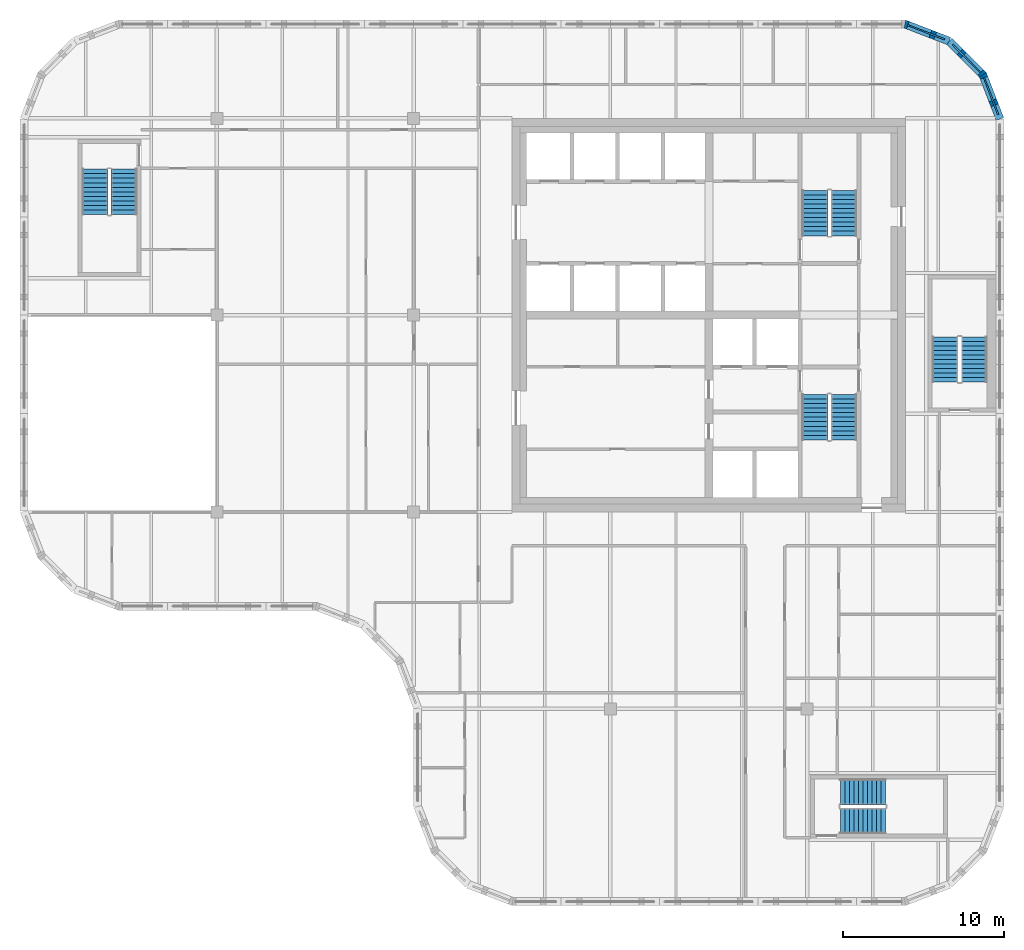
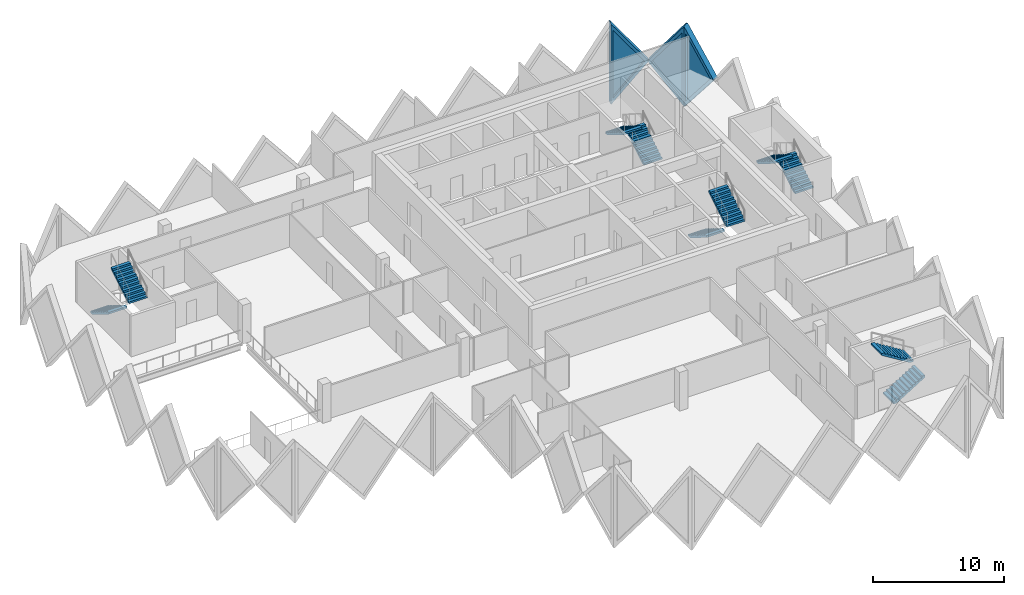
# One storey, part 10 of 11: 10 stair flights, 3 plates, 3 walls, 3 openings, 5 elements without a shape of their own.
"""IFC4 building model written with IfcOpenShell, lengths in metres."""

from ifc_helpers import new_model, si_unit, direction, frame, origin, place, context, subcontext, project, spatial, polyline, outline, extrude, faceted_brep, source, transform, mapped, material, layer, layer_set, type_object, element, fill, aggregate, save


model = new_model("IFC4")

# Units and contexts
model_context = context("Model", 3, precision=1e-05, world=origin(), true_north=direction((0.0, 1.0)))
body_context = subcontext(model_context, "Body", "Model", "MODEL_VIEW")
ifc_project = project(units=[si_unit("LENGTHUNIT", "METRE"), si_unit("AREAUNIT", "SQUARE_METRE"), si_unit("VOLUMEUNIT", "CUBIC_METRE"), si_unit("PLANEANGLEUNIT", "RADIAN"), si_unit("MASSUNIT", "GRAM", prefix="KILO")], contexts=[model_context])

# Site, building, storey
site_placement = place(None, origin())
site = spatial("IfcSite", under=ifc_project, at=site_placement, CompositionType="ELEMENT")
building_placement = place(site_placement, origin())
building = spatial("IfcBuilding", under=site, at=building_placement, Name="Tessera Gate Towers", CompositionType="ELEMENT")
storey_placement = place(building_placement, frame((0.0, 0.0, 205.5)))
storey = spatial("IfcBuildingStorey", under=building, at=storey_placement, Name="L51", CompositionType="ELEMENT", Elevation=205.5)

# Wall, opening, plate
ifc_material_1 = material(Name="Precast concrete C60/75 white", Category="concrete")
ifc_layer_1 = layer(ifc_material_1, 0.5)
ifc_layer_set_1 = layer_set([ifc_layer_1], Name="TS3 corner tessera")
wall_type = type_object("IfcWallType", Name="TS3 corner tessera", PredefinedType="SOLIDWALL", material=ifc_layer_set_1)
shared_shape_1 = source(origin(), body_context, "Body", "Brep", [
    faceted_brep([(2.950439453125, -0.25, 0.0), (2.9970703125, -0.25, 0.05908203125), (2.9970703125, -0.25, 7.541015625), (2.950439453125, -0.25, 7.60009765625), (0.0, -0.25, 3.800048828125), (0.052978515625, 0.25, 3.8681640625), (2.904052734375, 0.25, 7.540283203125), (2.904052734375, 0.25, 0.059814453125), (0.052978515625, 0.25, 3.73193359375), (2.950439453125, 0.00048828125, 0.0), (2.950439453125, 0.00048828125, 7.60009765625), (0.0, 0.0, 3.800048828125)], [[[0, 1, 2, 3, 4]], [[5, 6, 7, 8]], [[1, 0, 9]], [[10, 3, 2]], [[6, 5, 11, 4, 3, 10]], [[8, 7, 9, 0, 4, 11]], [[8, 11, 5]], [[1, 9, 7, 6, 10, 2]]]),
])
wall_1_placement = place(storey_placement, frame((57.606201171875, 53.588134765625, -3.800048828125), z_axis=(0.0, 0.0, 1.0), x_axis=(-0.932990326376, 0.359901446078, 0.0)))
wall_1 = element("IfcWall", 1, at=wall_1_placement, inside=storey, type_object=wall_type, Name="Precast corner tessera T1 TS3-1185", PredefinedType="SOLIDWALL", context=body_context, shape_type="MappedRepresentation", body=[
    mapped(shared_shape_1, transform((0.0, 0.0, 0.0), scale=1.0)),
])
shared_shape_2 = source(origin(), body_context, "Body", "SweptSolid", [
    extrude(outline(polyline([(2.75048828125, 6.934814453125), (0.31640625, 3.800048828125), (2.75048828125, 0.665283203125), (2.75048828125, 6.934814453125)])), frame((0.0, 0.260009765625, 0.0), z_axis=(0.0, -1.0, 0.0), x_axis=(1.0, 0.0, 0.0)), (0.0, 0.0, 1.0), 0.52001953125),
])
opening_1_placement = place(wall_1_placement, origin())
opening_1 = element("IfcOpeningElement", 2, at=opening_1_placement, cuts=wall_1, Name="Opening T1-PL2-1804", PredefinedType="OPENING", context=body_context, shape_type="MappedRepresentation", body=[
    mapped(shared_shape_2, transform((0.0, 0.0, 0.0), scale=1.0)),
])
ifc_material_2 = material(Name="Low-e laminated glass", Category="glass")
ifc_layer_2 = layer(ifc_material_2, 0.06005859375)
ifc_layer_set_2 = layer_set([ifc_layer_2], Name="PL2 rhombic pane")
plate_type = type_object("IfcPlateType", Name="PL2 rhombic pane", PredefinedType="SHEET", material=ifc_layer_set_2)
shared_shape_3 = source(origin(), body_context, "Body", "SweptSolid", [
    extrude(outline(polyline([(2.75048828125, 6.934814453125), (0.31640625, 3.800048828125), (2.75048828125, 0.665283203125), (2.75048828125, 6.934814453125)])), frame((0.0, 0.030029296875, 0.0), z_axis=(0.0, -1.0, 0.0), x_axis=(1.0, 0.0, 0.0)), (0.0, 0.0, 1.0), 0.06005859375),
])
plate_1_placement = place(opening_1_placement, origin())
plate_1 = element("IfcPlate", 3, at=plate_1_placement, inside=storey, type_object=plate_type, Name="Glass pane T1 PL2-1804", PredefinedType="SHEET", context=body_context, shape_type="MappedRepresentation", body=[
    mapped(shared_shape_3, transform((0.0, 0.0, 0.0), scale=1.0)),
])
fill(opening_1, plate_1)

shared_shape_4 = source(origin(), body_context, "Body", "Brep", [
    faceted_brep([(2.950439453125, -0.25, 0.0), (3.00341796875, -0.25, 0.068359375), (3.00341796875, -0.25, 7.53173828125), (2.950439453125, -0.25, 7.60009765625), (0.0, -0.25, 3.800048828125), (0.046630859375, 0.25, 3.860107421875), (2.897705078125, 0.25, 7.531982421875), (2.897705078125, 0.25, 0.068115234375), (0.046630859375, 0.25, 3.739990234375), (2.950439453125, 0.00048828125, 0.0), (2.950439453125, 0.00048828125, 7.60009765625), (0.0, 0.0, 3.800048828125)], [[[0, 1, 2, 3, 4]], [[5, 6, 7, 8]], [[1, 0, 9]], [[10, 3, 2]], [[6, 5, 11, 4, 3, 10]], [[8, 7, 9, 0, 4, 11]], [[8, 11, 5]], [[1, 9, 7, 6, 10, 2]]]),
])
wall_2_placement = place(storey_placement, frame((60.75, 48.75341796875, -3.800048828125), z_axis=(0.0, 0.0, 1.0), x_axis=(-0.35992665181, 0.932980602862, 0.0)))
wall_2 = element("IfcWall", 4, at=wall_2_placement, inside=storey, type_object=wall_type, Name="Precast corner tessera T1 TS3-1183", PredefinedType="SOLIDWALL", context=body_context, shape_type="MappedRepresentation", body=[
    mapped(shared_shape_4, transform((0.0, 0.0, 0.0), scale=1.0)),
])
opening_2_placement = place(wall_2_placement, origin())
opening_2 = element("IfcOpeningElement", 5, at=opening_2_placement, cuts=wall_2, Name="Opening T1-PL2-1802", PredefinedType="OPENING", context=body_context, shape_type="MappedRepresentation", body=[
    mapped(shared_shape_2, transform((0.0, 0.0, 0.0), scale=1.0)),
])
plate_2_placement = place(opening_2_placement, origin())
plate_2 = element("IfcPlate", 6, at=plate_2_placement, inside=storey, type_object=plate_type, Name="Glass pane T1 PL2-1802", PredefinedType="SHEET", context=body_context, shape_type="MappedRepresentation", body=[
    mapped(shared_shape_3, transform((0.0, 0.0, 0.0), scale=1.0)),
])
fill(opening_2, plate_2)

shared_shape_5 = source(origin(), body_context, "Body", "Brep", [
    faceted_brep([(0.052978515625, -0.25, 0.0), (2.9970703125, -0.25, 3.800048828125), (0.052978515625, -0.25, 7.60009765625), (0.0, -0.25, 7.531982421875), (0.0, -0.25, 0.068115234375), (0.10595703125, 0.25, 7.53173828125), (2.944091796875, 0.25, 3.8681640625), (2.944091796875, 0.25, 3.73193359375), (0.10595703125, 0.25, 0.068359375), (2.9970703125, 0.000244140625, 3.800048828125), (0.052978515625, 0.0, 0.0), (0.052978515625, 0.0, 7.60009765625)], [[[0, 1, 2, 3, 4]], [[5, 6, 7, 8]], [[8, 7, 9, 1, 0, 10]], [[6, 5, 11, 2, 1, 9]], [[3, 2, 11]], [[10, 0, 4]], [[8, 10, 4, 3, 11, 5]], [[9, 7, 6]]]),
])
wall_3_placement = place(storey_placement, frame((59.7255859375, 51.46875, -3.800048828125), z_axis=(0.0, 0.0, 1.0), x_axis=(-0.707106781187, 0.707106781187, 0.0)))
wall_3 = element("IfcWall", 7, at=wall_3_placement, inside=storey, type_object=wall_type, Name="Precast corner tessera T1 TS3-1184", PredefinedType="SOLIDWALL", context=body_context, shape_type="MappedRepresentation", body=[
    mapped(shared_shape_5, transform((0.0, 0.0, 0.0), scale=1.0)),
])
shared_shape_6 = source(origin(), body_context, "Body", "SweptSolid", [
    extrude(outline(polyline([(0.2529296875, 0.666259765625), (2.680908203125, 3.800048828125), (0.2529296875, 6.933837890625), (0.2529296875, 0.666259765625)])), frame((0.0, 0.260009765625, 0.0), z_axis=(0.0, -1.0, 0.0), x_axis=(1.0, 0.0, 0.0)), (0.0, 0.0, 1.0), 0.52001953125),
])
opening_3_placement = place(wall_3_placement, origin())
opening_3 = element("IfcOpeningElement", 8, at=opening_3_placement, cuts=wall_3, Name="Opening T1-PL2-1803", PredefinedType="OPENING", context=body_context, shape_type="MappedRepresentation", body=[
    mapped(shared_shape_6, transform((0.0, 0.0, 0.0), scale=1.0)),
])
shared_shape_7 = source(origin(), body_context, "Body", "SweptSolid", [
    extrude(outline(polyline([(0.2529296875, 0.666259765625), (2.680908203125, 3.800048828125), (0.2529296875, 6.933837890625), (0.2529296875, 0.666259765625)])), frame((0.0, 0.030029296875, 0.0), z_axis=(0.0, -1.0, 0.0), x_axis=(1.0, 0.0, 0.0)), (0.0, 0.0, 1.0), 0.06005859375),
])
plate_3_placement = place(opening_3_placement, origin())
plate_3 = element("IfcPlate", 9, at=plate_3_placement, inside=storey, type_object=plate_type, Name="Glass pane T1 PL2-1803", PredefinedType="SHEET", context=body_context, shape_type="MappedRepresentation", body=[
    mapped(shared_shape_7, transform((0.0, 0.0, 0.0), scale=1.0)),
])
fill(opening_3, plate_3)

# Stair, stair flights
ifc_material_3 = material(Name="Concrete C40/50", Category="concrete")
stair_type_1 = type_object("IfcStairType", Name="EXIT STAIR ST1 1600", PredefinedType="HALF_TURN_STAIR", material=ifc_material_3)
stair_1_placement = place(storey_placement, origin())
stair_1 = element("IfcStair", 10, at=stair_1_placement, inside=storey, type_object=stair_type_1, Name="L51 Protected Exit Stair ST1", PredefinedType="HALF_TURN_STAIR")
ifc_material_4 = material(Name="Concrete C40/50", Category="concrete")
stair_flight_type_1 = type_object("IfcStairFlightType", Name="EXIT STAIR FLIGHT ST1 1600", PredefinedType="STRAIGHT", material=ifc_material_4)
stair_flight_1_placement = place(storey_placement, frame((49.27490234375, 31.675048828125, 0.0), z_axis=(0.0, 0.0, 1.0), x_axis=(0.0, -1.0, 0.0)))
stair_flight_1 = element("IfcStairFlight", 11, at=stair_flight_1_placement, type_object=stair_flight_type_1, Name="ST1 flight 1", NumberOfRisers=11, NumberOfTreads=10, PredefinedType="STRAIGHT", RiserHeight=0.172727273, TreadLength=0.28, context=body_context, shape_type="SweptSolid", body=[
    extrude(outline(polyline([(0.0, 0.0), (0.0, 0.172607421875), (0.280029296875, 0.172607421875), (0.280029296875, 0.345458984375), (0.56005859375, 0.345458984375), (0.56005859375, 0.51806640625), (0.840087890625, 0.51806640625), (0.840087890625, 0.69091796875), (1.1201171875, 0.69091796875), (1.1201171875, 0.863525390625), (1.39990234375, 0.863525390625), (1.39990234375, 1.036376953125), (1.679931640625, 1.036376953125), (1.679931640625, 1.208984375), (1.9599609375, 1.208984375), (1.9599609375, 1.3818359375), (2.239990234375, 1.3818359375), (2.239990234375, 1.554443359375), (2.52001953125, 1.554443359375), (2.52001953125, 1.727294921875), (2.800048828125, 1.727294921875), (2.800048828125, 1.89990234375), (2.800048828125, 1.551025390625), (0.285400390625, 0.0), (0.0, 0.0)])), frame((0.0, 0.800048828125, 0.0), z_axis=(0.0, -1.0, 0.0), x_axis=(1.0, 0.0, 0.0)), (0.0, 0.0, 1.0), 1.60009765625),
])
stair_flight_2_placement = place(storey_placement, frame((51.074951171875, 28.875, 1.89990234375), z_axis=(0.0, 0.0, 1.0), x_axis=(0.0, 1.0, 0.0)))
stair_flight_2 = element("IfcStairFlight", 12, at=stair_flight_2_placement, type_object=stair_flight_type_1, Name="ST1 flight 2", NumberOfRisers=11, NumberOfTreads=10, PredefinedType="STRAIGHT", RiserHeight=0.172727273, TreadLength=0.28, context=body_context, shape_type="SweptSolid", body=[
    extrude(outline(polyline([(0.0, 0.0), (0.0, 0.172607421875), (0.280029296875, 0.172607421875), (0.280029296875, 0.345458984375), (0.56005859375, 0.345458984375), (0.56005859375, 0.51806640625), (0.840087890625, 0.51806640625), (0.840087890625, 0.69091796875), (1.1201171875, 0.69091796875), (1.1201171875, 0.863525390625), (1.39990234375, 0.863525390625), (1.39990234375, 1.036376953125), (1.679931640625, 1.036376953125), (1.679931640625, 1.208984375), (1.9599609375, 1.208984375), (1.9599609375, 1.3818359375), (2.239990234375, 1.3818359375), (2.239990234375, 1.554443359375), (2.52001953125, 1.554443359375), (2.52001953125, 1.727294921875), (2.800048828125, 1.727294921875), (2.800048828125, 1.89990234375), (2.800048828125, 1.551025390625), (0.285400390625, 0.0), (0.0, 0.0)])), frame((0.0, 0.800048828125, 0.0), z_axis=(0.0, -1.0, 0.0), x_axis=(1.0, 0.0, 0.0)), (0.0, 0.0, 1.0), 1.60009765625),
])
aggregate(stair_1, [stair_flight_1, stair_flight_2])

ifc_material_5 = material(Name="Concrete C40/50", Category="concrete")
stair_type_2 = type_object("IfcStairType", Name="EXIT STAIR ST2 1600", PredefinedType="HALF_TURN_STAIR", material=ifc_material_5)
stair_2_placement = place(storey_placement, origin())
stair_2 = element("IfcStair", 13, at=stair_2_placement, inside=storey, type_object=stair_type_2, Name="L51 Protected Exit Stair ST2", PredefinedType="HALF_TURN_STAIR")
ifc_material_6 = material(Name="Concrete C40/50", Category="concrete")
stair_flight_type_2 = type_object("IfcStairFlightType", Name="EXIT STAIR FLIGHT ST2 1600", PredefinedType="STRAIGHT", material=ifc_material_6)
stair_flight_3_placement = place(storey_placement, frame((51.074951171875, 41.52490234375, 0.0), z_axis=(0.0, 0.0, 1.0), x_axis=(0.0, 1.0, 0.0)))
stair_flight_3 = element("IfcStairFlight", 14, at=stair_flight_3_placement, type_object=stair_flight_type_2, Name="ST2 flight 1", NumberOfRisers=11, NumberOfTreads=10, PredefinedType="STRAIGHT", RiserHeight=0.172727273, TreadLength=0.28, context=body_context, shape_type="SweptSolid", body=[
    extrude(outline(polyline([(0.0, 0.0), (0.0, 0.172607421875), (0.280029296875, 0.172607421875), (0.280029296875, 0.345458984375), (0.56005859375, 0.345458984375), (0.56005859375, 0.51806640625), (0.840087890625, 0.51806640625), (0.840087890625, 0.69091796875), (1.1201171875, 0.69091796875), (1.1201171875, 0.863525390625), (1.39990234375, 0.863525390625), (1.39990234375, 1.036376953125), (1.679931640625, 1.036376953125), (1.679931640625, 1.208984375), (1.9599609375, 1.208984375), (1.9599609375, 1.3818359375), (2.239990234375, 1.3818359375), (2.239990234375, 1.554443359375), (2.52001953125, 1.554443359375), (2.52001953125, 1.727294921875), (2.800048828125, 1.727294921875), (2.800048828125, 1.89990234375), (2.800048828125, 1.551025390625), (0.285400390625, 0.0), (0.0, 0.0)])), frame((0.0, 0.800048828125, 0.0), z_axis=(0.0, -1.0, 0.0), x_axis=(1.0, 0.0, 0.0)), (0.0, 0.0, 1.0), 1.60009765625),
])
stair_flight_4_placement = place(storey_placement, frame((49.27490234375, 44.324951171875, 1.89990234375), z_axis=(0.0, 0.0, 1.0), x_axis=(0.0, -1.0, 0.0)))
stair_flight_4 = element("IfcStairFlight", 15, at=stair_flight_4_placement, type_object=stair_flight_type_2, Name="ST2 flight 2", NumberOfRisers=11, NumberOfTreads=10, PredefinedType="STRAIGHT", RiserHeight=0.172727273, TreadLength=0.28, context=body_context, shape_type="SweptSolid", body=[
    extrude(outline(polyline([(0.0, 0.0), (0.0, 0.172607421875), (0.280029296875, 0.172607421875), (0.280029296875, 0.345458984375), (0.56005859375, 0.345458984375), (0.56005859375, 0.51806640625), (0.840087890625, 0.51806640625), (0.840087890625, 0.69091796875), (1.1201171875, 0.69091796875), (1.1201171875, 0.863525390625), (1.39990234375, 0.863525390625), (1.39990234375, 1.036376953125), (1.679931640625, 1.036376953125), (1.679931640625, 1.208984375), (1.9599609375, 1.208984375), (1.9599609375, 1.3818359375), (2.239990234375, 1.3818359375), (2.239990234375, 1.554443359375), (2.52001953125, 1.554443359375), (2.52001953125, 1.727294921875), (2.800048828125, 1.727294921875), (2.800048828125, 1.89990234375), (2.800048828125, 1.551025390625), (0.285400390625, 0.0), (0.0, 0.0)])), frame((0.0, 0.800048828125, 0.0), z_axis=(0.0, -1.0, 0.0), x_axis=(1.0, 0.0, 0.0)), (0.0, 0.0, 1.0), 1.60009765625),
])
aggregate(stair_2, [stair_flight_3, stair_flight_4])

ifc_material_7 = material(Name="Concrete C40/50", Category="concrete")
stair_type_3 = type_object("IfcStairType", Name="EXIT STAIR ST3 1600", PredefinedType="HALF_TURN_STAIR", material=ifc_material_7)
stair_3_placement = place(storey_placement, origin())
stair_3 = element("IfcStair", 16, at=stair_3_placement, inside=storey, type_object=stair_type_3, Name="L51 West Exit Stair ST3", PredefinedType="HALF_TURN_STAIR")
ifc_material_8 = material(Name="Concrete C40/50", Category="concrete")
stair_flight_type_3 = type_object("IfcStairFlightType", Name="EXIT STAIR FLIGHT ST3 1600", PredefinedType="STRAIGHT", material=ifc_material_8)
stair_flight_5_placement = place(storey_placement, frame((4.64990234375, 45.64990234375, 0.0), z_axis=(0.0, 0.0, 1.0), x_axis=(0.0, -1.0, 0.0)))
stair_flight_5 = element("IfcStairFlight", 17, at=stair_flight_5_placement, type_object=stair_flight_type_3, Name="ST3 flight 1", NumberOfRisers=11, NumberOfTreads=10, PredefinedType="STRAIGHT", RiserHeight=0.172727273, TreadLength=0.28, context=body_context, shape_type="SweptSolid", body=[
    extrude(outline(polyline([(0.0, 0.0), (0.0, 0.172607421875), (0.280029296875, 0.172607421875), (0.280029296875, 0.345458984375), (0.56005859375, 0.345458984375), (0.56005859375, 0.51806640625), (0.840087890625, 0.51806640625), (0.840087890625, 0.69091796875), (1.1201171875, 0.69091796875), (1.1201171875, 0.863525390625), (1.39990234375, 0.863525390625), (1.39990234375, 1.036376953125), (1.679931640625, 1.036376953125), (1.679931640625, 1.208984375), (1.9599609375, 1.208984375), (1.9599609375, 1.3818359375), (2.239990234375, 1.3818359375), (2.239990234375, 1.554443359375), (2.52001953125, 1.554443359375), (2.52001953125, 1.727294921875), (2.800048828125, 1.727294921875), (2.800048828125, 1.89990234375), (2.800048828125, 1.551025390625), (0.285400390625, 0.0), (0.0, 0.0)])), frame((0.0, 0.800048828125, 0.0), z_axis=(0.0, -1.0, 0.0), x_axis=(1.0, 0.0, 0.0)), (0.0, 0.0, 1.0), 1.60009765625),
])
stair_flight_6_placement = place(storey_placement, frame((6.449951171875, 42.85009765625, 1.89990234375), z_axis=(0.0, 0.0, 1.0), x_axis=(0.0, 1.0, 0.0)))
stair_flight_6 = element("IfcStairFlight", 18, at=stair_flight_6_placement, type_object=stair_flight_type_3, Name="ST3 flight 2", NumberOfRisers=11, NumberOfTreads=10, PredefinedType="STRAIGHT", RiserHeight=0.172727273, TreadLength=0.28, context=body_context, shape_type="SweptSolid", body=[
    extrude(outline(polyline([(0.0, 0.0), (0.0, 0.172607421875), (0.280029296875, 0.172607421875), (0.280029296875, 0.345458984375), (0.56005859375, 0.345458984375), (0.56005859375, 0.51806640625), (0.840087890625, 0.51806640625), (0.840087890625, 0.69091796875), (1.1201171875, 0.69091796875), (1.1201171875, 0.863525390625), (1.39990234375, 0.863525390625), (1.39990234375, 1.036376953125), (1.679931640625, 1.036376953125), (1.679931640625, 1.208984375), (1.9599609375, 1.208984375), (1.9599609375, 1.3818359375), (2.239990234375, 1.3818359375), (2.239990234375, 1.554443359375), (2.52001953125, 1.554443359375), (2.52001953125, 1.727294921875), (2.800048828125, 1.727294921875), (2.800048828125, 1.89990234375), (2.800048828125, 1.551025390625), (0.285400390625, 0.0), (0.0, 0.0)])), frame((0.0, 0.800048828125, 0.0), z_axis=(0.0, -1.0, 0.0), x_axis=(1.0, 0.0, 0.0)), (0.0, 0.0, 1.0), 1.60009765625),
])
aggregate(stair_3, [stair_flight_5, stair_flight_6])

ifc_material_9 = material(Name="Concrete C40/50", Category="concrete")
stair_type_4 = type_object("IfcStairType", Name="EXIT STAIR ST4 1600", PredefinedType="HALF_TURN_STAIR", material=ifc_material_9)
stair_4_placement = place(storey_placement, origin())
stair_4 = element("IfcStair", 19, at=stair_4_placement, inside=storey, type_object=stair_type_4, Name="L51 South Exit Stair ST4", PredefinedType="HALF_TURN_STAIR")
ifc_material_10 = material(Name="Concrete C40/50", Category="concrete")
stair_flight_type_4 = type_object("IfcStairFlightType", Name="EXIT STAIR FLIGHT ST4 1600", PredefinedType="STRAIGHT", material=ifc_material_10)
stair_flight_7_placement = place(storey_placement, frame((50.85009765625, 5.25, 0.0), z_axis=(0.0, 0.0, 1.0), x_axis=(1.0, 0.0, 0.0)))
stair_flight_7 = element("IfcStairFlight", 20, at=stair_flight_7_placement, type_object=stair_flight_type_4, Name="ST4 flight 1", NumberOfRisers=11, NumberOfTreads=10, PredefinedType="STRAIGHT", RiserHeight=0.172727273, TreadLength=0.28, context=body_context, shape_type="SweptSolid", body=[
    extrude(outline(polyline([(0.0, 0.0), (0.0, 0.172607421875), (0.280029296875, 0.172607421875), (0.280029296875, 0.345458984375), (0.56005859375, 0.345458984375), (0.56005859375, 0.51806640625), (0.840087890625, 0.51806640625), (0.840087890625, 0.69091796875), (1.1201171875, 0.69091796875), (1.1201171875, 0.863525390625), (1.39990234375, 0.863525390625), (1.39990234375, 1.036376953125), (1.679931640625, 1.036376953125), (1.679931640625, 1.208984375), (1.9599609375, 1.208984375), (1.9599609375, 1.3818359375), (2.239990234375, 1.3818359375), (2.239990234375, 1.554443359375), (2.52001953125, 1.554443359375), (2.52001953125, 1.727294921875), (2.800048828125, 1.727294921875), (2.800048828125, 1.89990234375), (2.800048828125, 1.551025390625), (0.285400390625, 0.0), (0.0, 0.0)])), frame((0.0, 0.800048828125, 0.0), z_axis=(0.0, -1.0, 0.0), x_axis=(1.0, 0.0, 0.0)), (0.0, 0.0, 1.0), 1.60009765625),
])
stair_flight_8_placement = place(storey_placement, frame((53.64990234375, 7.050048828125, 1.89990234375), z_axis=(0.0, 0.0, 1.0), x_axis=(-1.0, 0.0, 0.0)))
stair_flight_8 = element("IfcStairFlight", 21, at=stair_flight_8_placement, type_object=stair_flight_type_4, Name="ST4 flight 2", NumberOfRisers=11, NumberOfTreads=10, PredefinedType="STRAIGHT", RiserHeight=0.172727273, TreadLength=0.28, context=body_context, shape_type="SweptSolid", body=[
    extrude(outline(polyline([(0.0, 0.0), (0.0, 0.172607421875), (0.280029296875, 0.172607421875), (0.280029296875, 0.345458984375), (0.56005859375, 0.345458984375), (0.56005859375, 0.51806640625), (0.840087890625, 0.51806640625), (0.840087890625, 0.69091796875), (1.1201171875, 0.69091796875), (1.1201171875, 0.863525390625), (1.39990234375, 0.863525390625), (1.39990234375, 1.036376953125), (1.679931640625, 1.036376953125), (1.679931640625, 1.208984375), (1.9599609375, 1.208984375), (1.9599609375, 1.3818359375), (2.239990234375, 1.3818359375), (2.239990234375, 1.554443359375), (2.52001953125, 1.554443359375), (2.52001953125, 1.727294921875), (2.800048828125, 1.727294921875), (2.800048828125, 1.89990234375), (2.800048828125, 1.551025390625), (0.285400390625, 0.0), (0.0, 0.0)])), frame((0.0, 0.800048828125, 0.0), z_axis=(0.0, -1.0, 0.0), x_axis=(1.0, 0.0, 0.0)), (0.0, 0.0, 1.0), 1.60009765625),
])
aggregate(stair_4, [stair_flight_7, stair_flight_8])

ifc_material_11 = material(Name="Concrete C40/50", Category="concrete")
stair_type_5 = type_object("IfcStairType", Name="EXIT STAIR ST5 1600", PredefinedType="HALF_TURN_STAIR", material=ifc_material_11)
stair_5_placement = place(storey_placement, origin())
stair_5 = element("IfcStair", 22, at=stair_5_placement, inside=storey, type_object=stair_type_5, Name="L51 East Exit Stair ST5", PredefinedType="HALF_TURN_STAIR")
ifc_material_12 = material(Name="Concrete C40/50", Category="concrete")
stair_flight_type_5 = type_object("IfcStairFlightType", Name="EXIT STAIR FLIGHT ST5 1600", PredefinedType="STRAIGHT", material=ifc_material_12)
stair_flight_9_placement = place(storey_placement, frame((59.14990234375, 32.449951171875, 0.0), z_axis=(0.0, 0.0, 1.0), x_axis=(0.0, 1.0, 0.0)))
stair_flight_9 = element("IfcStairFlight", 23, at=stair_flight_9_placement, type_object=stair_flight_type_5, Name="ST5 flight 1", NumberOfRisers=11, NumberOfTreads=10, PredefinedType="STRAIGHT", RiserHeight=0.172727273, TreadLength=0.28, context=body_context, shape_type="SweptSolid", body=[
    extrude(outline(polyline([(0.0, 0.0), (0.0, 0.172607421875), (0.280029296875, 0.172607421875), (0.280029296875, 0.345458984375), (0.56005859375, 0.345458984375), (0.56005859375, 0.51806640625), (0.840087890625, 0.51806640625), (0.840087890625, 0.69091796875), (1.1201171875, 0.69091796875), (1.1201171875, 0.863525390625), (1.39990234375, 0.863525390625), (1.39990234375, 1.036376953125), (1.679931640625, 1.036376953125), (1.679931640625, 1.208984375), (1.9599609375, 1.208984375), (1.9599609375, 1.3818359375), (2.239990234375, 1.3818359375), (2.239990234375, 1.554443359375), (2.52001953125, 1.554443359375), (2.52001953125, 1.727294921875), (2.800048828125, 1.727294921875), (2.800048828125, 1.89990234375), (2.800048828125, 1.551025390625), (0.285400390625, 0.0), (0.0, 0.0)])), frame((0.0, 0.800048828125, 0.0), z_axis=(0.0, -1.0, 0.0), x_axis=(1.0, 0.0, 0.0)), (0.0, 0.0, 1.0), 1.60009765625),
])
stair_flight_10_placement = place(storey_placement, frame((57.35009765625, 35.25, 1.89990234375), z_axis=(0.0, 0.0, 1.0), x_axis=(0.0, -1.0, 0.0)))
stair_flight_10 = element("IfcStairFlight", 24, at=stair_flight_10_placement, type_object=stair_flight_type_5, Name="ST5 flight 2", NumberOfRisers=11, NumberOfTreads=10, PredefinedType="STRAIGHT", RiserHeight=0.172727273, TreadLength=0.28, context=body_context, shape_type="SweptSolid", body=[
    extrude(outline(polyline([(0.0, 0.0), (0.0, 0.172607421875), (0.280029296875, 0.172607421875), (0.280029296875, 0.345458984375), (0.56005859375, 0.345458984375), (0.56005859375, 0.51806640625), (0.840087890625, 0.51806640625), (0.840087890625, 0.69091796875), (1.1201171875, 0.69091796875), (1.1201171875, 0.863525390625), (1.39990234375, 0.863525390625), (1.39990234375, 1.036376953125), (1.679931640625, 1.036376953125), (1.679931640625, 1.208984375), (1.9599609375, 1.208984375), (1.9599609375, 1.3818359375), (2.239990234375, 1.3818359375), (2.239990234375, 1.554443359375), (2.52001953125, 1.554443359375), (2.52001953125, 1.727294921875), (2.800048828125, 1.727294921875), (2.800048828125, 1.89990234375), (2.800048828125, 1.551025390625), (0.285400390625, 0.0), (0.0, 0.0)])), frame((0.0, 0.800048828125, 0.0), z_axis=(0.0, -1.0, 0.0), x_axis=(1.0, 0.0, 0.0)), (0.0, 0.0, 1.0), 1.60009765625),
])
aggregate(stair_5, [stair_flight_9, stair_flight_10])

save(model, "model.ifc")
